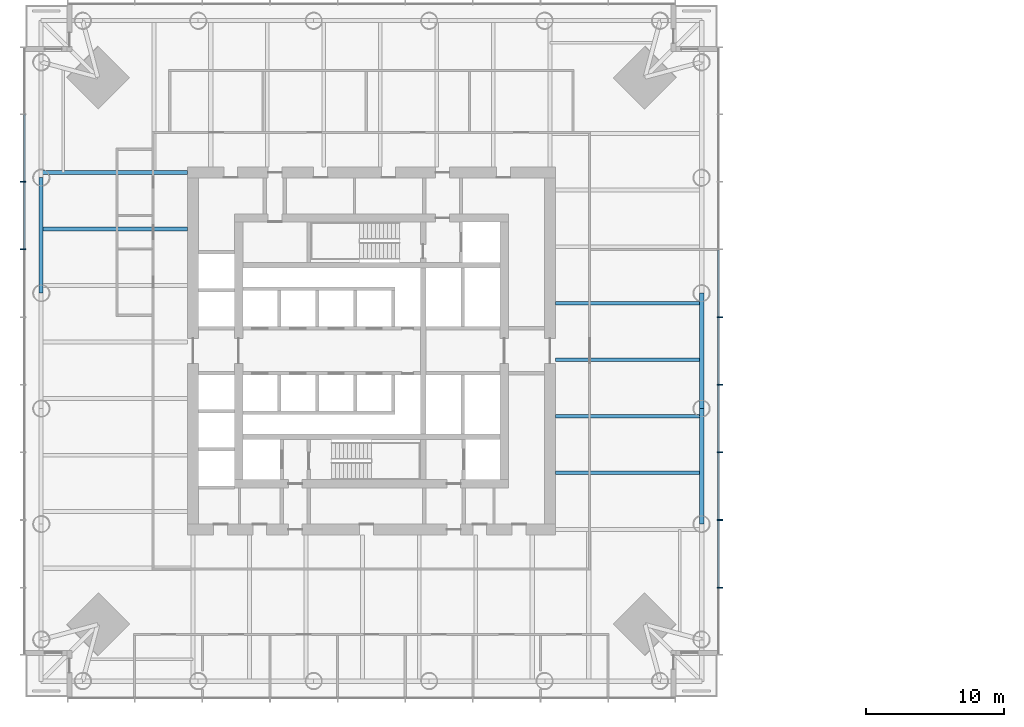
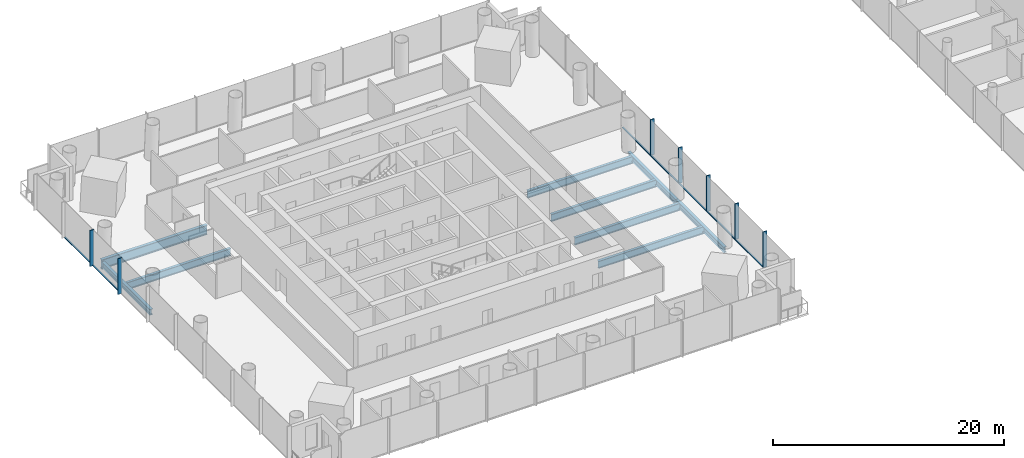
# One storey, part 3 of 19: 14 members, 9 beams, 2 elements without a shape of their own.
"""IFC4 building model written with IfcOpenShell, lengths in metres."""

from ifc_helpers import new_model, si_unit, direction, frame, origin, origin_2d, place, context, subcontext, project, spatial, rectangle, i_section, extrude, material, material_profile, profile_set, type_object, element, aggregate, save


model = new_model("IFC4")

# Units and contexts
model_context = context("Model", 3, precision=1e-05, world=origin(), true_north=direction((0.0, 1.0)))
body_context = subcontext(model_context, "Body", "Model", "MODEL_VIEW")
ifc_project = project(units=[si_unit("LENGTHUNIT", "METRE"), si_unit("AREAUNIT", "SQUARE_METRE"), si_unit("VOLUMEUNIT", "CUBIC_METRE"), si_unit("PLANEANGLEUNIT", "RADIAN"), si_unit("MASSUNIT", "GRAM", prefix="KILO")], contexts=[model_context])

# Site, building, storey
site_placement = place(None, origin())
site = spatial("IfcSite", under=ifc_project, at=site_placement, CompositionType="ELEMENT")
building_placement = place(site_placement, origin())
building = spatial("IfcBuilding", under=site, at=building_placement, Name="Ostroluk Exchange", CompositionType="ELEMENT")
storey_placement = place(building_placement, frame((0.0, 0.0, 24.800048828125)))
storey = spatial("IfcBuildingStorey", under=building, at=storey_placement, Name="L05", CompositionType="ELEMENT", Elevation=24.800048828125)

# Beams
ifc_material_1 = material(Name="Steel S355", Category="steel")
ifc_material_profile_1 = material_profile(ifc_material_1, i_section(OverallWidth=0.26806640625, OverallDepth=0.77001953125, WebThickness=0.015625, FlangeThickness=0.025390625, FilletRadius=0.01708984375, at=origin_2d()), Name="IPE 750x196")
ifc_profile_set_1 = profile_set([ifc_material_profile_1], Name="Steel S355")
beam_type_1 = type_object("IfcBeamType", Name="Floor beam IPE 750x196", PredefinedType="BEAM", material=ifc_profile_set_1)
for number, where, z_axis, x_axis, name in (
    (1, (58.300048828125, 37.1865234375, -0.56494140625), (1.0, 0.0, 0.0), (0.0, 1.0, 0.0), "T1 east floor beam 1"),
    (2, (58.300048828125, 41.27294921875, -0.56494140625), (1.0, 0.0, 0.0), (0.0, 1.0, 0.0), "T1 east floor beam 2"),
    (3, (58.300048828125, 45.359619140625, -0.56494140625), (1.0, 0.0, 0.0), (0.0, 1.0, 0.0), "T1 east floor beam 3"),
    (4, (58.300048828125, 49.446044921875, -0.56494140625), (1.0, 0.0, 0.0), (0.0, 1.0, 0.0), "T1 east floor beam 4"),
    (5, (31.699951171875, 54.8134765625, -0.56494140625), (-1.0, 0.0, 0.0), (0.0, -1.0, 0.0), "T1 west floor beam 1"),
):
    element("IfcBeam", number, at=place(storey_placement, frame(where, z_axis=z_axis, x_axis=x_axis)), inside=storey, type_object=beam_type_1, Name=name, PredefinedType="BEAM", context=body_context, shape_type="SweptSolid", body=[
        extrude(i_section(OverallWidth=0.26806640625, OverallDepth=0.77001953125, WebThickness=0.015625, FlangeThickness=0.025390625, FilletRadius=0.01708984375, at=origin_2d()), origin(), (0.0, 0.0, 1.0), 10.57861328125),
    ])
ifc_material_2 = material(Name="Steel S355", Category="steel")
ifc_material_profile_2 = material_profile(ifc_material_2, i_section(OverallWidth=0.302001953125, OverallDepth=1.008056640625, WebThickness=0.02099609375, FlangeThickness=0.0400390625, FilletRadius=0.030029296875, at=origin_2d()), Name="HEM 1000")
ifc_profile_set_2 = profile_set([ifc_material_profile_2], Name="Steel S355")
beam_type_2 = type_object("IfcBeamType", Name="Girder HEM 1000", PredefinedType="BEAM", material=ifc_profile_set_2)
beam_1_placement = place(storey_placement, frame((31.699951171875, 58.89990234375, -0.68408203125), z_axis=(-1.0, 0.0, 0.0), x_axis=(0.0, -1.0, 0.0)))
element("IfcBeam", 6, at=beam_1_placement, inside=storey, type_object=beam_type_2, Name="T1 north girder", PredefinedType="BEAM", context=body_context, shape_type="SweptSolid", body=[
    extrude(i_section(OverallWidth=0.302001953125, OverallDepth=1.008056640625, WebThickness=0.02099609375, FlangeThickness=0.0400390625, FilletRadius=0.030029296875, at=origin_2d()), origin(), (0.0, 0.0, 1.0), 10.57861328125),
])
ifc_material_3 = material(Name="Steel S355", Category="steel")
ifc_material_profile_3 = material_profile(ifc_material_3, i_section(OverallWidth=0.300048828125, OverallDepth=0.60009765625, WebThickness=0.015380859375, FlangeThickness=0.030029296875, FilletRadius=0.027099609375, at=origin_2d()), Name="HEB 600")
ifc_profile_set_3 = profile_set([ifc_material_profile_3], Name="Steel S355")
beam_type_3 = type_object("IfcBeamType", Name="Moment-connected edge beam HEB 600", PredefinedType="SPANDREL", material=ifc_profile_set_3)
beam_2_placement = place(storey_placement, frame((68.878662109375, 33.472900390625, -0.47998046875), z_axis=(0.0, 1.0, 0.0), x_axis=(-1.0, 0.0, 0.0)))
element("IfcBeam", 7, at=beam_2_placement, inside=storey, type_object=beam_type_3, Name="T1 east edge beam 2", PredefinedType="SPANDREL", context=body_context, shape_type="SweptSolid", body=[
    extrude(i_section(OverallWidth=0.300048828125, OverallDepth=0.60009765625, WebThickness=0.015380859375, FlangeThickness=0.030029296875, FilletRadius=0.027099609375, at=origin_2d()), origin(), (0.0, 0.0, 1.0), 8.351318359375),
])
beam_3_placement = place(storey_placement, frame((68.878662109375, 41.82421875, -0.47998046875), z_axis=(0.0, 1.0, 0.0), x_axis=(-1.0, 0.0, 0.0)))
element("IfcBeam", 8, at=beam_3_placement, inside=storey, type_object=beam_type_3, Name="T1 east edge beam 3", PredefinedType="SPANDREL", context=body_context, shape_type="SweptSolid", body=[
    extrude(i_section(OverallWidth=0.300048828125, OverallDepth=0.60009765625, WebThickness=0.015380859375, FlangeThickness=0.030029296875, FilletRadius=0.027099609375, at=origin_2d()), origin(), (0.0, 0.0, 1.0), 8.3515625),
])
beam_4_placement = place(storey_placement, frame((21.121337890625, 58.527099609375, -0.47998046875), z_axis=(0.0, -1.0, 0.0), x_axis=(1.0, 0.0, 0.0)))
element("IfcBeam", 9, at=beam_4_placement, inside=storey, type_object=beam_type_3, Name="T1 west edge beam 2", PredefinedType="SPANDREL", context=body_context, shape_type="SweptSolid", body=[
    extrude(i_section(OverallWidth=0.300048828125, OverallDepth=0.60009765625, WebThickness=0.015380859375, FlangeThickness=0.030029296875, FilletRadius=0.027099609375, at=origin_2d()), origin(), (0.0, 0.0, 1.0), 8.351318359375),
])

# Curtain wall, members
ifc_material_4 = material(Name="Laminated clear glass", Category="glass")
curtain_wall_type = type_object("IfcCurtainWallType", Name="Office tower facade", PredefinedType="USERDEFINED", material=ifc_material_4)
curtain_wall_1_placement = place(storey_placement, origin())
curtain_wall_1 = element("IfcCurtainWall", 10, at=curtain_wall_1_placement, inside=storey, type_object=curtain_wall_type, Name="Office tower east facade L05", ObjectType="UNITISED CURTAIN WALL", PredefinedType="USERDEFINED")
ifc_material_5 = material(Name="Aluminium mullion", Category="aluminium")
ifc_material_profile_4 = material_profile(ifc_material_5, rectangle(XDim=0.14990234375, YDim=0.080078125, at=origin_2d()), Name="Sill transom 80 x 150")
ifc_profile_set_4 = profile_set([ifc_material_profile_4], Name="Aluminium mullion")
member_type_1 = type_object("IfcMemberType", Name="Sill transom 80 x 150", PredefinedType="USERDEFINED", material=ifc_profile_set_4)
member_1_placement = place(storey_placement, frame((70.074951171875, 28.928955078125, 0.0400390625), z_axis=(0.0, 1.0, 0.0), x_axis=(-1.0, 0.0, 0.0)))
member_1 = element("IfcMember", 11, at=member_1_placement, type_object=member_type_1, Name="CW-O1 transom 2.1", ObjectType="TRANSOM", PredefinedType="USERDEFINED", context=body_context, shape_type="SweptSolid", body=[
    extrude(rectangle(XDim=0.14990234375, YDim=0.080078125, at=origin_2d()), origin(), (0.0, 0.0, 1.0), 4.808837890625),
])
member_2_placement = place(storey_placement, frame((70.074951171875, 33.81787109375, 0.0400390625), z_axis=(0.0, 1.0, 0.0), x_axis=(-1.0, 0.0, 0.0)))
member_2 = element("IfcMember", 12, at=member_2_placement, type_object=member_type_1, Name="CW-O1 transom 3.1", ObjectType="TRANSOM", PredefinedType="USERDEFINED", context=body_context, shape_type="SweptSolid", body=[
    extrude(rectangle(XDim=0.14990234375, YDim=0.080078125, at=origin_2d()), origin(), (0.0, 0.0, 1.0), 4.808837890625),
])
member_3_placement = place(storey_placement, frame((70.074951171875, 38.706787109375, 0.0400390625), z_axis=(0.0, 1.0, 0.0), x_axis=(-1.0, 0.0, 0.0)))
member_3 = element("IfcMember", 13, at=member_3_placement, type_object=member_type_1, Name="CW-O1 transom 4.1", ObjectType="TRANSOM", PredefinedType="USERDEFINED", context=body_context, shape_type="SweptSolid", body=[
    extrude(rectangle(XDim=0.14990234375, YDim=0.080078125, at=origin_2d()), origin(), (0.0, 0.0, 1.0), 4.808837890625),
])
member_4_placement = place(storey_placement, frame((70.074951171875, 43.595458984375, 0.0400390625), z_axis=(0.0, 1.0, 0.0), x_axis=(-1.0, 0.0, 0.0)))
member_4 = element("IfcMember", 14, at=member_4_placement, type_object=member_type_1, Name="CW-O1 transom 5.1", ObjectType="TRANSOM", PredefinedType="USERDEFINED", context=body_context, shape_type="SweptSolid", body=[
    extrude(rectangle(XDim=0.14990234375, YDim=0.080078125, at=origin_2d()), origin(), (0.0, 0.0, 1.0), 4.80908203125),
])
member_5_placement = place(storey_placement, frame((70.074951171875, 48.484375, 0.0400390625), z_axis=(0.0, 1.0, 0.0), x_axis=(-1.0, 0.0, 0.0)))
member_5 = element("IfcMember", 15, at=member_5_placement, type_object=member_type_1, Name="CW-O1 transom 6.1", ObjectType="TRANSOM", PredefinedType="USERDEFINED", context=body_context, shape_type="SweptSolid", body=[
    extrude(rectangle(XDim=0.14990234375, YDim=0.080078125, at=origin_2d()), origin(), (0.0, 0.0, 1.0), 4.808837890625),
])

curtain_wall_2_placement = place(storey_placement, origin())
curtain_wall_2 = element("IfcCurtainWall", 16, at=curtain_wall_2_placement, inside=storey, type_object=curtain_wall_type, Name="Office tower west facade L05", ObjectType="UNITISED CURTAIN WALL", PredefinedType="USERDEFINED")
member_6_placement = place(storey_placement, frame((19.925048828125, 63.071044921875, 0.0400390625), z_axis=(0.0, -1.0, 0.0), x_axis=(1.0, 0.0, 0.0)))
member_6 = element("IfcMember", 17, at=member_6_placement, type_object=member_type_1, Name="CW-O1 transom 2.1", ObjectType="TRANSOM", PredefinedType="USERDEFINED", context=body_context, shape_type="SweptSolid", body=[
    extrude(rectangle(XDim=0.14990234375, YDim=0.080078125, at=origin_2d()), origin(), (0.0, 0.0, 1.0), 4.808837890625),
])
member_7_placement = place(storey_placement, frame((19.925048828125, 58.18212890625, 0.0400390625), z_axis=(0.0, -1.0, 0.0), x_axis=(1.0, 0.0, 0.0)))
member_7 = element("IfcMember", 18, at=member_7_placement, type_object=member_type_1, Name="CW-O1 transom 3.1", ObjectType="TRANSOM", PredefinedType="USERDEFINED", context=body_context, shape_type="SweptSolid", body=[
    extrude(rectangle(XDim=0.14990234375, YDim=0.080078125, at=origin_2d()), origin(), (0.0, 0.0, 1.0), 4.808837890625),
])

# Member
ifc_material_6 = material(Name="Aluminium mullion with limestone facing", Category="masonry")
ifc_material_profile_5 = material_profile(ifc_material_6, rectangle(XDim=0.39990234375, YDim=0.080078125, at=origin_2d()), Name="Tracery mullion 80 x 400")
ifc_profile_set_5 = profile_set([ifc_material_profile_5], Name="Aluminium mullion with limestone facing")
member_type_2 = type_object("IfcMemberType", Name="Tracery mullion 80 x 400", PredefinedType="MULLION", material=ifc_profile_set_5)
member_8_placement = place(storey_placement, frame((70.199951171875, 28.888916015625, 0.0), z_axis=(0.0, 0.0, 1.0), x_axis=(-1.0, 0.0, 0.0)))
member_8 = element("IfcMember", 19, at=member_8_placement, type_object=member_type_2, Name="CW-O1 mullion 2", PredefinedType="MULLION", context=body_context, shape_type="SweptSolid", body=[
    extrude(rectangle(XDim=0.39990234375, YDim=0.080078125, at=origin_2d()), origin(), (0.0, 0.0, 1.0), 3.800048828125),
])

member_9_placement = place(storey_placement, frame((70.199951171875, 33.77783203125, 0.0), z_axis=(0.0, 0.0, 1.0), x_axis=(-1.0, 0.0, 0.0)))
member_9 = element("IfcMember", 20, at=member_9_placement, type_object=member_type_2, Name="CW-O1 mullion 3", PredefinedType="MULLION", context=body_context, shape_type="SweptSolid", body=[
    extrude(rectangle(XDim=0.39990234375, YDim=0.080078125, at=origin_2d()), origin(), (0.0, 0.0, 1.0), 3.800048828125),
])

member_10_placement = place(storey_placement, frame((70.199951171875, 38.666748046875, 0.0), z_axis=(0.0, 0.0, 1.0), x_axis=(-1.0, 0.0, 0.0)))
member_10 = element("IfcMember", 21, at=member_10_placement, type_object=member_type_2, Name="CW-O1 mullion 4", PredefinedType="MULLION", context=body_context, shape_type="SweptSolid", body=[
    extrude(rectangle(XDim=0.39990234375, YDim=0.080078125, at=origin_2d()), origin(), (0.0, 0.0, 1.0), 3.800048828125),
])

member_11_placement = place(storey_placement, frame((70.199951171875, 43.5556640625, 0.0), z_axis=(0.0, 0.0, 1.0), x_axis=(-1.0, 0.0, 0.0)))
member_11 = element("IfcMember", 22, at=member_11_placement, type_object=member_type_2, Name="CW-O1 mullion 5", PredefinedType="MULLION", context=body_context, shape_type="SweptSolid", body=[
    extrude(rectangle(XDim=0.39990234375, YDim=0.080078125, at=origin_2d()), origin(), (0.0, 0.0, 1.0), 3.800048828125),
])

member_12_placement = place(storey_placement, frame((70.199951171875, 48.4443359375, 0.0), z_axis=(0.0, 0.0, 1.0), x_axis=(-1.0, 0.0, 0.0)))
member_12 = element("IfcMember", 23, at=member_12_placement, type_object=member_type_2, Name="CW-O1 mullion 6", PredefinedType="MULLION", context=body_context, shape_type="SweptSolid", body=[
    extrude(rectangle(XDim=0.39990234375, YDim=0.080078125, at=origin_2d()), origin(), (0.0, 0.0, 1.0), 3.800048828125),
])

aggregate(curtain_wall_1, [member_8, member_9, member_10, member_11, member_12, member_1, member_2, member_3, member_4, member_5])

member_13_placement = place(storey_placement, frame((19.800048828125, 58.22216796875, 0.0), z_axis=(0.0, 0.0, 1.0), x_axis=(1.0, 0.0, 0.0)))
member_13 = element("IfcMember", 24, at=member_13_placement, type_object=member_type_2, Name="CW-O1 mullion 3", PredefinedType="MULLION", context=body_context, shape_type="SweptSolid", body=[
    extrude(rectangle(XDim=0.39990234375, YDim=0.080078125, at=origin_2d()), origin(), (0.0, 0.0, 1.0), 3.800048828125),
])

member_14_placement = place(storey_placement, frame((19.800048828125, 53.333251953125, 0.0), z_axis=(0.0, 0.0, 1.0), x_axis=(1.0, 0.0, 0.0)))
member_14 = element("IfcMember", 25, at=member_14_placement, type_object=member_type_2, Name="CW-O1 mullion 4", PredefinedType="MULLION", context=body_context, shape_type="SweptSolid", body=[
    extrude(rectangle(XDim=0.39990234375, YDim=0.080078125, at=origin_2d()), origin(), (0.0, 0.0, 1.0), 3.800048828125),
])

aggregate(curtain_wall_2, [member_13, member_14, member_6, member_7])

save(model, "model.ifc")
